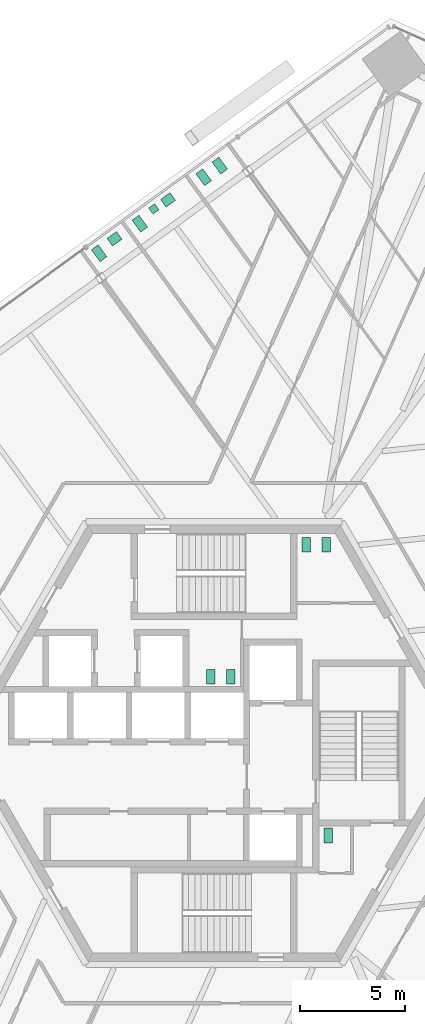
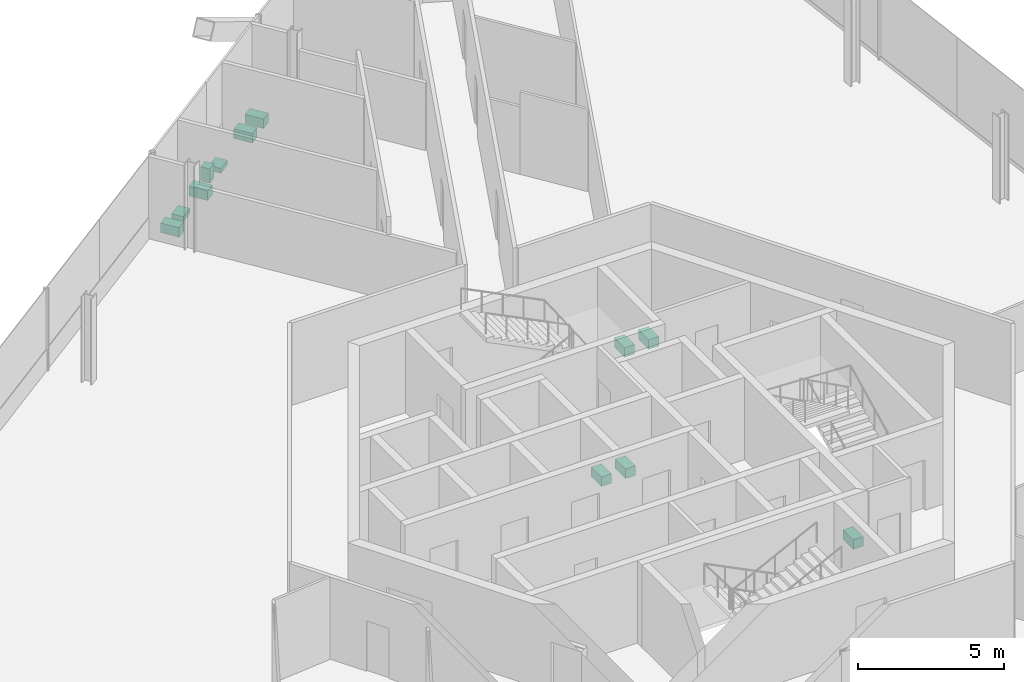
# One storey, part 15 of 17: 12 sanitary terminals.
"""IFC4 building model written with IfcOpenShell, lengths in metres."""

from ifc_helpers import new_model, si_unit, direction, frame, origin, origin_2d, place, context, subcontext, project, spatial, rectangle, extrude, source, transform, mapped, material, element, save


model = new_model("IFC4")

# Units and contexts
model_context = context("Model", 3, precision=1e-05, world=origin(), true_north=direction((0.0, 1.0)))
body_context = subcontext(model_context, "Body", "Model", "MODEL_VIEW")
ifc_project = project(units=[si_unit("LENGTHUNIT", "METRE"), si_unit("AREAUNIT", "SQUARE_METRE"), si_unit("VOLUMEUNIT", "CUBIC_METRE"), si_unit("PLANEANGLEUNIT", "RADIAN"), si_unit("MASSUNIT", "GRAM", prefix="KILO")], contexts=[model_context])

# Site, building, storey
site_placement = place(None, origin())
site = spatial("IfcSite", under=ifc_project, at=site_placement, CompositionType="ELEMENT")
building_placement = place(site_placement, origin())
building = spatial("IfcBuilding", under=site, at=building_placement, Name="Triune Harvest Tower", CompositionType="ELEMENT")
storey_placement = place(building_placement, frame((0.0, 0.0, 62.10009765625)))
storey = spatial("IfcBuildingStorey", under=building, at=storey_placement, Name="L14", CompositionType="ELEMENT", Elevation=62.10009765625)

# Sanitary terminals
ifc_material = material(Name="Vitreous china")
shared_shape_1 = source(origin(), body_context, "Body", "SweptSolid", [
    extrude(rectangle(XDim=0.39990234375, YDim=0.699951171875, at=origin_2d()), origin(), (0.0, 0.0, 1.0), 0.39990234375),
])
for number, where, z_axis, x_axis, name in (
    (1, (4.39990234375, 9.449951171875, 0.0), (0.0, 0.0, 1.0), (1.0, 0.0, 0.0), "Toilet pan L14.c01"),
    (2, (5.35009765625, 9.449951171875, 0.0), (0.0, 0.0, 1.0), (1.0, 0.0, 0.0), "Toilet pan L14.c02"),
    (3, (0.800048828125, 3.159912109375, 0.0), (0.0, 0.0, 1.0), (-1.0, 0.0, 0.0), "Toilet pan L14.c03"),
    (4, (-0.14990234375, 3.159912109375, 0.0), (0.0, 0.0, 1.0), (-1.0, 0.0, 0.0), "Toilet pan L14.c04"),
    (5, (5.449951171875, -4.39990234375, 0.0), (0.0, 0.0, 1.0), (1.0, 0.0, 0.0), "Toilet pan L14.c05"),
    (6, (-0.49365234375, 26.95556640625, 0.0), (0.0, 0.0, 1.0), (0.809006735464, 0.587799372213, 0.0), "Toilet pan 01"),
    (7, (0.27490234375, 27.513916015625, 0.0), (0.0, 0.0, 1.0), (0.809006735464, 0.587799372213, 0.0), "Toilet pan 02"),
    (8, (-3.533447265625, 24.7470703125, 0.0), (0.0, 0.0, 1.0), (0.80902725304, 0.587771132193, 0.0), "Toilet pan 03"),
    (9, (-5.47509765625, 23.33642578125, 0.0), (0.0, 0.0, 1.0), (0.809006735464, 0.587799372213, 0.0), "Toilet pan 06"),
):
    element("IfcSanitaryTerminal", number, at=place(storey_placement, frame(where, z_axis=z_axis, x_axis=x_axis)), inside=storey, material=ifc_material, Name=name, PredefinedType="TOILETPAN", context=body_context, shape_type="MappedRepresentation", body=[
        mapped(shared_shape_1, transform((0.0, 0.0, 0.0), scale=1.0)),
    ])
shared_shape_2 = source(origin(), body_context, "Body", "SweptSolid", [
    extrude(rectangle(XDim=0.35009765625, YDim=0.35009765625, at=origin_2d()), origin(), (0.0, 0.0, 1.0), 0.60009765625),
])
sanitary_terminal_placement = place(storey_placement, frame((-2.867919921875, 25.447021484375, -0.000244140625), z_axis=(0.0, 0.0, 1.0), x_axis=(0.80902725304, 0.587771132193, 0.0)))
element("IfcSanitaryTerminal", 10, at=sanitary_terminal_placement, inside=storey, material=ifc_material, Name="Urinal 04", PredefinedType="URINAL", context=body_context, shape_type="MappedRepresentation", body=[
    mapped(shared_shape_2, transform((0.0, 0.0, 0.0), scale=1.0)),
])
shared_shape_3 = source(origin(), body_context, "Body", "SweptSolid", [
    extrude(rectangle(XDim=0.550048828125, YDim=0.449951171875, at=origin_2d()), origin(), (0.0, 0.0, 1.0), 0.199951171875),
])
for number, where, z_axis, x_axis, name in (
    (11, (-2.191162109375, 25.876708984375, 0.0), (0.0, 0.0, 1.0), (0.80902725304, 0.587771132193, 0.0), "Wash basin 05"),
    (12, (-4.739501953125, 24.025390625, 0.0), (0.0, 0.0, 1.0), (0.809006735464, 0.587799372213, 0.0), "Wash basin 07"),
):
    element("IfcSanitaryTerminal", number, at=place(storey_placement, frame(where, z_axis=z_axis, x_axis=x_axis)), inside=storey, material=ifc_material, Name=name, PredefinedType="WASHHANDBASIN", context=body_context, shape_type="MappedRepresentation", body=[
        mapped(shared_shape_3, transform((0.0, 0.0, 0.0), scale=1.0)),
    ])

save(model, "model.ifc")
